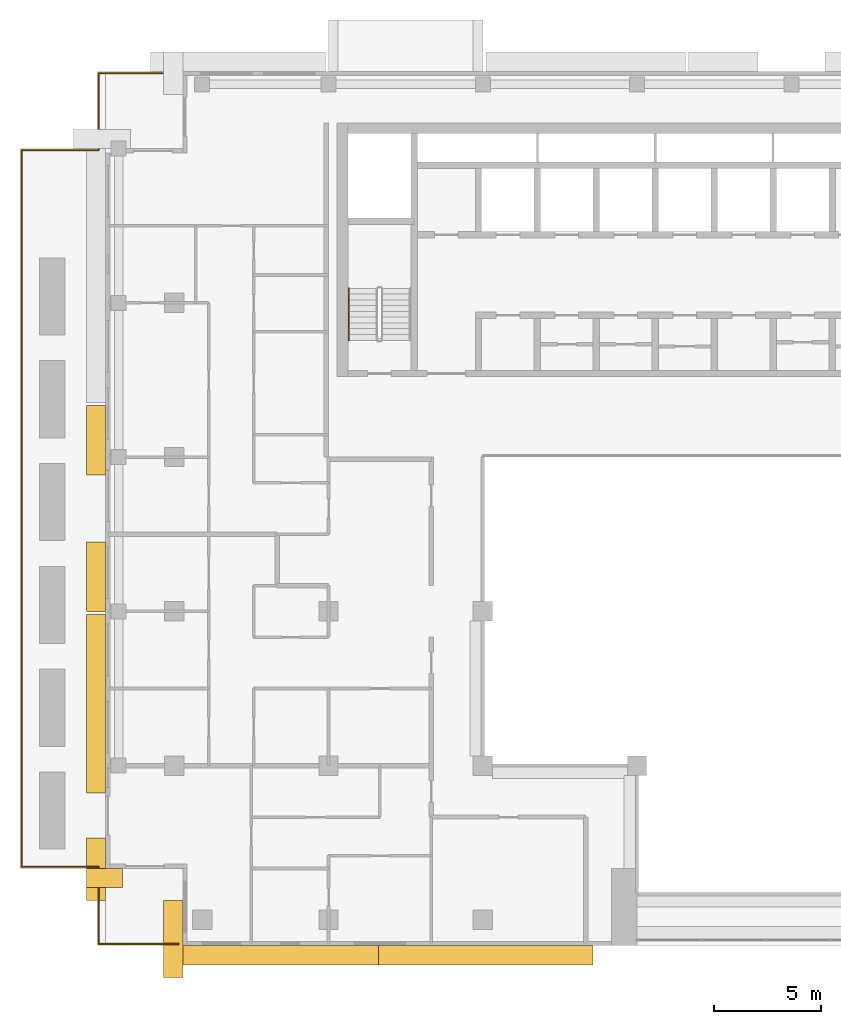
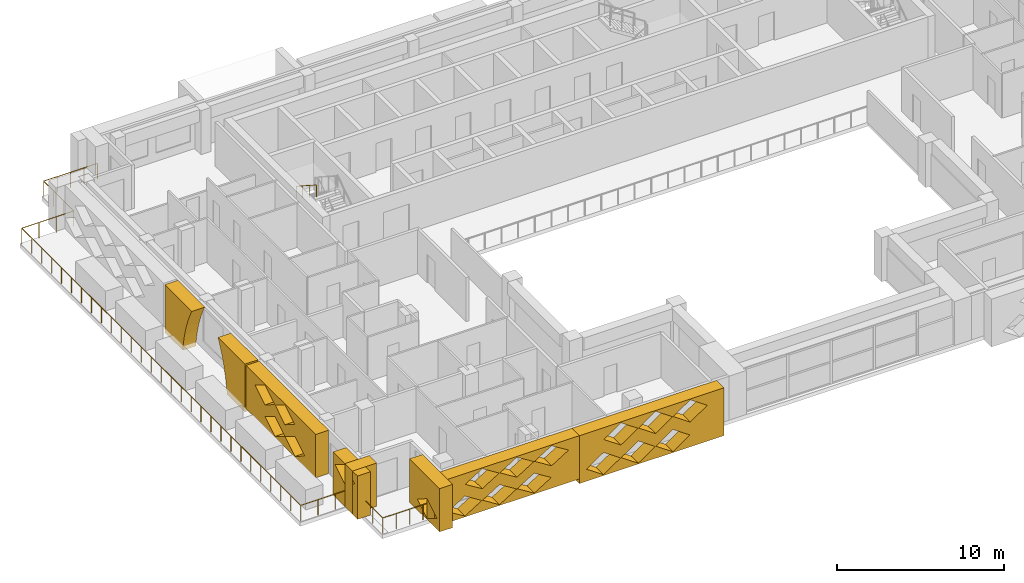
# One storey, part 13 of 19: 8 coverings, 2 railings.
"""IFC4 building model written with IfcOpenShell, lengths in metres."""

from ifc_helpers import new_model, si_unit, direction, frame, origin, origin_2d, place, context, subcontext, project, spatial, polyline, circle, outline, extrude, material, type_object, element, save


model = new_model("IFC4")

# Units and contexts
model_context = context("Model", 3, precision=1e-05, world=origin(), true_north=direction((0.0, 1.0)))
body_context = subcontext(model_context, "Body", "Model", "MODEL_VIEW")
ifc_project = project(units=[si_unit("LENGTHUNIT", "METRE"), si_unit("AREAUNIT", "SQUARE_METRE"), si_unit("VOLUMEUNIT", "CUBIC_METRE"), si_unit("PLANEANGLEUNIT", "RADIAN"), si_unit("MASSUNIT", "GRAM", prefix="KILO")], contexts=[model_context])

# Site, building, storey
site_placement = place(None, origin())
site = spatial("IfcSite", under=ifc_project, at=site_placement, CompositionType="ELEMENT")
building_placement = place(site_placement, origin())
building = spatial("IfcBuilding", under=site, at=building_placement, Name="Saffron Iwan Residences", CompositionType="ELEMENT")
storey_placement = place(building_placement, frame((0.0, 0.0, 211.5)))
storey = spatial("IfcBuildingStorey", under=building, at=storey_placement, Name="L56", CompositionType="ELEMENT", Elevation=211.5)

# Coverings
ifc_material_1 = material(Name="Precast concrete C40/50 white painted", Category="concrete")
covering_type_1 = type_object("IfcCoveringType", Name="IWAN PANEL PRECAST WHITE", PredefinedType="CLADDING", material=ifc_material_1)
covering_1_placement = place(storey_placement, frame((18.39990234375, 64.800048828125, -0.280029296875), z_axis=(-1.0, 0.0, 0.0), x_axis=(0.0, -1.0, 0.0)))
element("IfcCovering", 1, at=covering_1_placement, inside=storey, type_object=covering_type_1, Name="Iwan panel L56 F8.0", PredefinedType="CLADDING", context=body_context, shape_type="SweptSolid", body=[
    extrude(outline(polyline([(0.0, 0.0), (0.0, 3.5), (3.233154296875, 3.5), (3.104736328125, 3.271484375), (2.8017578125, 2.614990234375), (2.55126953125, 1.93701171875), (2.354736328125, 1.241455078125), (2.21337890625, 0.532470703125), (2.150390625, 0.0), (0.0, 0.0)])), origin(), (0.0, 0.0, 1.0), 0.89990234375),
])
covering_2_placement = place(storey_placement, frame((18.39990234375, 64.800048828125, -0.280029296875), z_axis=(-1.0, 0.0, 0.0), x_axis=(0.0, -1.0, 0.0)))
element("IfcCovering", 2, at=covering_2_placement, inside=storey, type_object=covering_type_1, Name="Iwan panel L56 F8.1", PredefinedType="CLADDING", context=body_context, shape_type="SweptSolid", body=[
    extrude(outline(polyline([(9.60009765625, 3.5), (9.60009765625, 0.0), (7.44970703125, 0.0), (7.386474609375, 0.532470703125), (7.245361328125, 1.241455078125), (7.048828125, 1.93701171875), (6.798095703125, 2.614990234375), (6.4951171875, 3.271484375), (6.366943359375, 3.5), (9.60009765625, 3.5)])), origin(), (0.0, 0.0, 1.0), 0.89990234375),
])
ifc_material_2 = material(Name="Precast concrete C40/50", Category="concrete")
covering_type_2 = type_object("IfcCoveringType", Name="OUTER SKIN LATTICE SCREEN", PredefinedType="CLADDING", material=ifc_material_2)
covering_3_placement = place(storey_placement, frame((18.39990234375, 55.050048828125, 0.050048828125), z_axis=(-1.0, 0.0, 0.0), x_axis=(0.0, -1.0, 0.0)))
element("IfcCovering", 3, at=covering_3_placement, inside=storey, type_object=covering_type_2, Name="OUTER SKIN lattice screen L56 F8.1", PredefinedType="CLADDING", context=body_context, shape_type="SweptSolid", body=[
    extrude(outline(polyline([(0.0, 0.0), (8.3369140625, 0.0), (8.3369140625, 3.169921875), (0.0, 3.169921875), (0.0, 0.0)]), holes=[polyline([(2.27001953125, 0.79248046875), (3.449951171875, 0.06005859375), (4.6298828125, 0.79248046875), (3.449951171875, 1.52490234375), (2.27001953125, 0.79248046875)]), polyline([(4.669921875, 0.79248046875), (5.85009765625, 0.06005859375), (7.030029296875, 0.79248046875), (5.85009765625, 1.52490234375), (4.669921875, 0.79248046875)]), polyline([(1.070068359375, 2.37744140625), (2.25, 1.64501953125), (3.429931640625, 2.37744140625), (2.25, 3.110107421875), (1.070068359375, 2.37744140625)]), polyline([(3.469970703125, 2.37744140625), (4.64990234375, 1.64501953125), (5.830078125, 2.37744140625), (4.64990234375, 3.110107421875), (3.469970703125, 2.37744140625)])]), origin(), (0.0, 0.0, 1.0), 0.89990234375),
])
covering_4_placement = place(storey_placement, frame((18.39990234375, 44.613037109375, 0.050048828125), z_axis=(-1.0, 0.0, 0.0), x_axis=(0.0, -1.0, 0.0)))
element("IfcCovering", 4, at=covering_4_placement, inside=storey, type_object=covering_type_2, Name="OUTER SKIN lattice screen L56 F8.2", PredefinedType="CLADDING", context=body_context, shape_type="SweptSolid", body=[
    extrude(outline(polyline([(0.0, 0.0), (2.9130859375, 0.0), (2.9130859375, 3.169921875), (0.0, 3.169921875), (0.0, 0.0)]), holes=[polyline([(0.23291015625, 2.37744140625), (1.4130859375, 1.64501953125), (2.593017578125, 2.37744140625), (1.4130859375, 3.110107421875), (0.23291015625, 2.37744140625)])]), origin(), (0.0, 0.0, 1.0), 0.89990234375),
])
covering_5_placement = place(storey_placement, frame((17.5, 43.199951171875, 0.050048828125), z_axis=(0.0, -1.0, 0.0), x_axis=(1.0, 0.0, 0.0)))
element("IfcCovering", 5, at=covering_5_placement, inside=storey, type_object=covering_type_2, Name="OUTER SKIN lattice screen L56 F9.0", PredefinedType="CLADDING", context=body_context, shape_type="SweptSolid", body=[
    extrude(outline(polyline([(0.0, 0.0), (1.675048828125, 0.0), (1.675048828125, 3.169921875), (0.0, 3.169921875), (0.0, 0.0)])), origin(), (0.0, 0.0, 1.0), 0.89990234375),
])
covering_6_placement = place(storey_placement, frame((22.0, 41.699951171875, 0.050048828125), z_axis=(-1.0, 0.0, 0.0), x_axis=(0.0, -1.0, 0.0)))
element("IfcCovering", 6, at=covering_6_placement, inside=storey, type_object=covering_type_2, Name="OUTER SKIN lattice screen L56 F10.0", PredefinedType="CLADDING", context=body_context, shape_type="SweptSolid", body=[
    extrude(outline(polyline([(0.0, 0.0), (3.60009765625, 0.0), (3.60009765625, 3.169921875), (0.0, 3.169921875), (0.0, 0.0)]), holes=[polyline([(0.919921875, 0.79248046875), (2.10009765625, 0.06005859375), (3.280029296875, 0.79248046875), (2.10009765625, 1.52490234375), (0.919921875, 0.79248046875)])]), origin(), (0.0, 0.0, 1.0), 0.89990234375),
])
covering_7_placement = place(storey_placement, frame((21.10009765625, 39.60009765625, 0.050048828125), z_axis=(0.0, -1.0, 0.0), x_axis=(1.0, 0.0, 0.0)))
element("IfcCovering", 7, at=covering_7_placement, inside=storey, type_object=covering_type_2, Name="OUTER SKIN lattice screen L56 F11.0", PredefinedType="CLADDING", context=body_context, shape_type="SweptSolid", body=[
    extrude(outline(polyline([(0.0, 0.0), (10.02490234375, 0.0), (10.02490234375, 3.169921875), (0.0, 3.169921875), (0.0, 0.0)]), holes=[polyline([(0.919921875, 0.79248046875), (2.10009765625, 0.06005859375), (3.280029296875, 0.79248046875), (2.10009765625, 1.52490234375), (0.919921875, 0.79248046875)]), polyline([(3.320068359375, 0.79248046875), (4.5, 0.06005859375), (5.679931640625, 0.79248046875), (4.5, 1.52490234375), (3.320068359375, 0.79248046875)]), polyline([(5.719970703125, 0.79248046875), (6.89990234375, 0.06005859375), (8.080078125, 0.79248046875), (6.89990234375, 1.52490234375), (5.719970703125, 0.79248046875)]), polyline([(2.1201171875, 2.37744140625), (3.300048828125, 1.64501953125), (4.47998046875, 2.37744140625), (3.300048828125, 3.110107421875), (2.1201171875, 2.37744140625)]), polyline([(4.52001953125, 2.37744140625), (5.699951171875, 1.64501953125), (6.8798828125, 2.37744140625), (5.699951171875, 3.110107421875), (4.52001953125, 2.37744140625)]), polyline([(6.919921875, 2.37744140625), (8.10009765625, 1.64501953125), (9.280029296875, 2.37744140625), (8.10009765625, 3.110107421875), (6.919921875, 2.37744140625)])]), origin(), (0.0, 0.0, 1.0), 0.900146484375),
])
covering_8_placement = place(storey_placement, frame((31.125, 39.60009765625, -0.280029296875), z_axis=(0.0, -1.0, 0.0), x_axis=(1.0, 0.0, 0.0)))
element("IfcCovering", 8, at=covering_8_placement, inside=storey, type_object=covering_type_2, Name="OUTER SKIN lattice screen L56 F11.1", PredefinedType="CLADDING", context=body_context, shape_type="SweptSolid", body=[
    extrude(outline(polyline([(0.0, 0.0), (10.02490234375, 0.0), (10.02490234375, 3.5), (0.0, 3.5), (0.0, 0.0)]), holes=[polyline([(0.4951171875, 0.875), (1.675048828125, 0.06005859375), (2.85498046875, 0.875), (1.675048828125, 1.68994140625), (0.4951171875, 0.875)]), polyline([(2.89501953125, 0.875), (4.074951171875, 0.06005859375), (5.2548828125, 0.875), (4.074951171875, 1.68994140625), (2.89501953125, 0.875)]), polyline([(5.294921875, 0.875), (6.47509765625, 0.06005859375), (7.655029296875, 0.875), (6.47509765625, 1.68994140625), (5.294921875, 0.875)]), polyline([(1.695068359375, 2.625), (2.875, 1.81005859375), (4.054931640625, 2.625), (2.875, 3.43994140625), (1.695068359375, 2.625)]), polyline([(4.094970703125, 2.625), (5.27490234375, 1.81005859375), (6.455078125, 2.625), (5.27490234375, 3.43994140625), (4.094970703125, 2.625)]), polyline([(6.4951171875, 2.625), (7.675048828125, 1.81005859375), (8.85498046875, 2.625), (7.675048828125, 3.43994140625), (6.4951171875, 2.625)])]), origin(), (0.0, 0.0, 1.0), 0.900146484375),
])

# Railings
ifc_material_3 = material(Name="Stainless steel 316", Category="steel")
railing_type_1 = type_object("IfcRailingType", Name="Stair handrail 900", PredefinedType="HANDRAIL", material=ifc_material_3)
railing_1_placement = place(storey_placement, frame((29.75, 70.280029296875, 1.925048828125)))
element("IfcRailing", 9, at=railing_1_placement, inside=storey, type_object=railing_type_1, Name="L56 ST-W stair handrail 2", PredefinedType="HANDRAIL", context=body_context, shape_type="SweptSolid", body=[
    extrude(circle(Radius=0.02392578125, at=origin_2d()), frame((0.0, 0.0, 0.8759765625), z_axis=(0.0, -0.839153699163, 0.543894354798), x_axis=(1.0, 0.0, 0.0)), (0.0, 0.0, 1.0), 2.895751953125),
    extrude(circle(Radius=0.02099609375, at=origin_2d()), origin(), (0.0, 0.0, 1.0), 0.851806640625),
    extrude(circle(Radius=0.02099609375, at=origin_2d()), frame((0.0, -0.81005859375, 0.52490234375)), (0.0, 0.0, 1.0), 0.851806640625),
    extrude(circle(Radius=0.02099609375, at=origin_2d()), frame((0.0, -1.619873046875, 1.050048828125)), (0.0, 0.0, 1.0), 0.851806640625),
    extrude(circle(Radius=0.02099609375, at=origin_2d()), frame((0.0, -2.429931640625, 1.574951171875)), (0.0, 0.0, 1.0), 0.851806640625),
])
railing_type_2 = type_object("IfcRailingType", Name="TERRACE GUARD 1150", PredefinedType="BALUSTRADE", material=ifc_material_3)
railing_2_placement = place(storey_placement, frame((21.800048828125, 39.675048828125, 0.050048828125)))
element("IfcRailing", 10, at=railing_2_placement, inside=storey, type_object=railing_type_2, Name="Terrace guard L56 2", PredefinedType="BALUSTRADE", context=body_context, shape_type="SweptSolid", body=[
    extrude(circle(Radius=0.02392578125, at=origin_2d()), frame((0.0, 0.0, 1.1259765625), z_axis=(-1.0, 0.0, 0.0), x_axis=(0.0, -1.0, 0.0)), (0.0, 0.0, 1.0), 3.72509765625),
    extrude(circle(Radius=0.02392578125, at=origin_2d()), frame((-3.72509765625, 0.0, 1.1259765625), z_axis=(0.0, 1.0, 0.0), x_axis=(-1.0, 0.0, 0.0)), (0.0, 0.0, 1.0), 3.599853515625),
    extrude(circle(Radius=0.02392578125, at=origin_2d()), frame((-3.72509765625, 3.599853515625, 1.1259765625), z_axis=(-1.0, 0.0, 0.0), x_axis=(0.0, -1.0, 0.0)), (0.0, 0.0, 1.0), 3.599853515625),
    extrude(circle(Radius=0.02392578125, at=origin_2d()), frame((-7.324951171875, 3.599853515625, 1.1259765625), z_axis=(0.0, 1.0, 0.0), x_axis=(-1.0, 0.0, 0.0)), (0.0, 0.0, 1.0), 33.4501953125),
    extrude(circle(Radius=0.02392578125, at=origin_2d()), frame((-7.324951171875, 37.050048828125, 1.1259765625), z_axis=(1.0, 0.0, 0.0), x_axis=(0.0, 1.0, 0.0)), (0.0, 0.0, 1.0), 3.599853515625),
    extrude(circle(Radius=0.02392578125, at=origin_2d()), frame((-3.72509765625, 37.050048828125, 1.1259765625), z_axis=(0.0, 1.0, 0.0), x_axis=(-1.0, 0.0, 0.0)), (0.0, 0.0, 1.0), 3.599853515625),
    extrude(circle(Radius=0.02392578125, at=origin_2d()), frame((-3.72509765625, 40.64990234375, 1.1259765625), z_axis=(1.0, 0.0, 0.0), x_axis=(0.0, 1.0, 0.0)), (0.0, 0.0, 1.0), 3.72509765625),
    extrude(circle(Radius=0.02099609375, at=origin_2d()), origin(), (0.0, 0.0, 1.0), 1.101806640625),
    extrude(circle(Radius=0.02099609375, at=origin_2d()), frame((-0.93115234375, 0.0, 0.0)), (0.0, 0.0, 1.0), 1.101806640625),
    extrude(circle(Radius=0.02099609375, at=origin_2d()), frame((-1.862548828125, 0.0, 0.0)), (0.0, 0.0, 1.0), 1.101806640625),
    extrude(circle(Radius=0.02099609375, at=origin_2d()), frame((-2.7939453125, 0.0, 0.0)), (0.0, 0.0, 1.0), 1.101806640625),
    extrude(circle(Radius=0.02099609375, at=origin_2d()), frame((-3.72509765625, 0.0, 0.0)), (0.0, 0.0, 1.0), 1.101806640625),
    extrude(circle(Radius=0.02099609375, at=origin_2d()), frame((-3.72509765625, 1.199951171875, 0.0)), (0.0, 0.0, 1.0), 1.101806640625),
    extrude(circle(Radius=0.02099609375, at=origin_2d()), frame((-3.72509765625, 2.39990234375, 0.0)), (0.0, 0.0, 1.0), 1.101806640625),
    extrude(circle(Radius=0.02099609375, at=origin_2d()), frame((-3.72509765625, 3.599853515625, 0.0)), (0.0, 0.0, 1.0), 1.101806640625),
    extrude(circle(Radius=0.02099609375, at=origin_2d()), frame((-4.925048828125, 3.599853515625, 0.0)), (0.0, 0.0, 1.0), 1.101806640625),
    extrude(circle(Radius=0.02099609375, at=origin_2d()), frame((-6.125, 3.599853515625, 0.0)), (0.0, 0.0, 1.0), 1.101806640625),
    extrude(circle(Radius=0.02099609375, at=origin_2d()), frame((-7.324951171875, 3.599853515625, 0.0)), (0.0, 0.0, 1.0), 1.101806640625),
    extrude(circle(Radius=0.02099609375, at=origin_2d()), frame((-7.324951171875, 4.79443359375, 0.0)), (0.0, 0.0, 1.0), 1.101806640625),
    extrude(circle(Radius=0.02099609375, at=origin_2d()), frame((-7.324951171875, 5.9892578125, 0.0)), (0.0, 0.0, 1.0), 1.101806640625),
    extrude(circle(Radius=0.02099609375, at=origin_2d()), frame((-7.324951171875, 7.183837890625, 0.0)), (0.0, 0.0, 1.0), 1.101806640625),
    extrude(circle(Radius=0.02099609375, at=origin_2d()), frame((-7.324951171875, 8.37841796875, 0.0)), (0.0, 0.0, 1.0), 1.101806640625),
    extrude(circle(Radius=0.02099609375, at=origin_2d()), frame((-7.324951171875, 9.572998046875, 0.0)), (0.0, 0.0, 1.0), 1.101806640625),
    extrude(circle(Radius=0.02099609375, at=origin_2d()), frame((-7.324951171875, 10.767822265625, 0.0)), (0.0, 0.0, 1.0), 1.101806640625),
    extrude(circle(Radius=0.02099609375, at=origin_2d()), frame((-7.324951171875, 11.96240234375, 0.0)), (0.0, 0.0, 1.0), 1.101806640625),
    extrude(circle(Radius=0.02099609375, at=origin_2d()), frame((-7.324951171875, 13.156982421875, 0.0)), (0.0, 0.0, 1.0), 1.101806640625),
    extrude(circle(Radius=0.02099609375, at=origin_2d()), frame((-7.324951171875, 14.351806640625, 0.0)), (0.0, 0.0, 1.0), 1.101806640625),
    extrude(circle(Radius=0.02099609375, at=origin_2d()), frame((-7.324951171875, 15.54638671875, 0.0)), (0.0, 0.0, 1.0), 1.101806640625),
    extrude(circle(Radius=0.02099609375, at=origin_2d()), frame((-7.324951171875, 16.740966796875, 0.0)), (0.0, 0.0, 1.0), 1.101806640625),
    extrude(circle(Radius=0.02099609375, at=origin_2d()), frame((-7.324951171875, 17.935546875, 0.0)), (0.0, 0.0, 1.0), 1.101806640625),
    extrude(circle(Radius=0.02099609375, at=origin_2d()), frame((-7.324951171875, 19.13037109375, 0.0)), (0.0, 0.0, 1.0), 1.101806640625),
    extrude(circle(Radius=0.02099609375, at=origin_2d()), frame((-7.324951171875, 20.324951171875, 0.0)), (0.0, 0.0, 1.0), 1.101806640625),
    extrude(circle(Radius=0.02099609375, at=origin_2d()), frame((-7.324951171875, 21.51953125, 0.0)), (0.0, 0.0, 1.0), 1.101806640625),
    extrude(circle(Radius=0.02099609375, at=origin_2d()), frame((-7.324951171875, 22.71435546875, 0.0)), (0.0, 0.0, 1.0), 1.101806640625),
    extrude(circle(Radius=0.02099609375, at=origin_2d()), frame((-7.324951171875, 23.908935546875, 0.0)), (0.0, 0.0, 1.0), 1.101806640625),
    extrude(circle(Radius=0.02099609375, at=origin_2d()), frame((-7.324951171875, 25.103515625, 0.0)), (0.0, 0.0, 1.0), 1.101806640625),
    extrude(circle(Radius=0.02099609375, at=origin_2d()), frame((-7.324951171875, 26.298095703125, 0.0)), (0.0, 0.0, 1.0), 1.101806640625),
    extrude(circle(Radius=0.02099609375, at=origin_2d()), frame((-7.324951171875, 27.492919921875, 0.0)), (0.0, 0.0, 1.0), 1.101806640625),
    extrude(circle(Radius=0.02099609375, at=origin_2d()), frame((-7.324951171875, 28.6875, 0.0)), (0.0, 0.0, 1.0), 1.101806640625),
    extrude(circle(Radius=0.02099609375, at=origin_2d()), frame((-7.324951171875, 29.882080078125, 0.0)), (0.0, 0.0, 1.0), 1.101806640625),
    extrude(circle(Radius=0.02099609375, at=origin_2d()), frame((-7.324951171875, 31.076904296875, 0.0)), (0.0, 0.0, 1.0), 1.101806640625),
    extrude(circle(Radius=0.02099609375, at=origin_2d()), frame((-7.324951171875, 32.271484375, 0.0)), (0.0, 0.0, 1.0), 1.101806640625),
    extrude(circle(Radius=0.02099609375, at=origin_2d()), frame((-7.324951171875, 33.466064453125, 0.0)), (0.0, 0.0, 1.0), 1.101806640625),
    extrude(circle(Radius=0.02099609375, at=origin_2d()), frame((-7.324951171875, 34.66064453125, 0.0)), (0.0, 0.0, 1.0), 1.101806640625),
    extrude(circle(Radius=0.02099609375, at=origin_2d()), frame((-7.324951171875, 35.85546875, 0.0)), (0.0, 0.0, 1.0), 1.101806640625),
    extrude(circle(Radius=0.02099609375, at=origin_2d()), frame((-7.324951171875, 37.050048828125, 0.0)), (0.0, 0.0, 1.0), 1.101806640625),
    extrude(circle(Radius=0.02099609375, at=origin_2d()), frame((-6.125, 37.050048828125, 0.0)), (0.0, 0.0, 1.0), 1.101806640625),
    extrude(circle(Radius=0.02099609375, at=origin_2d()), frame((-4.925048828125, 37.050048828125, 0.0)), (0.0, 0.0, 1.0), 1.101806640625),
    extrude(circle(Radius=0.02099609375, at=origin_2d()), frame((-3.72509765625, 37.050048828125, 0.0)), (0.0, 0.0, 1.0), 1.101806640625),
    extrude(circle(Radius=0.02099609375, at=origin_2d()), frame((-3.72509765625, 38.25, 0.0)), (0.0, 0.0, 1.0), 1.101806640625),
    extrude(circle(Radius=0.02099609375, at=origin_2d()), frame((-3.72509765625, 39.449951171875, 0.0)), (0.0, 0.0, 1.0), 1.101806640625),
    extrude(circle(Radius=0.02099609375, at=origin_2d()), frame((-3.72509765625, 40.64990234375, 0.0)), (0.0, 0.0, 1.0), 1.101806640625),
    extrude(circle(Radius=0.02099609375, at=origin_2d()), frame((-2.7939453125, 40.64990234375, 0.0)), (0.0, 0.0, 1.0), 1.101806640625),
    extrude(circle(Radius=0.02099609375, at=origin_2d()), frame((-1.862548828125, 40.64990234375, 0.0)), (0.0, 0.0, 1.0), 1.101806640625),
    extrude(circle(Radius=0.02099609375, at=origin_2d()), frame((-0.93115234375, 40.64990234375, 0.0)), (0.0, 0.0, 1.0), 1.101806640625),
    extrude(circle(Radius=0.02099609375, at=origin_2d()), frame((0.0, 40.64990234375, 0.0)), (0.0, 0.0, 1.0), 1.101806640625),
])

save(model, "model.ifc")
